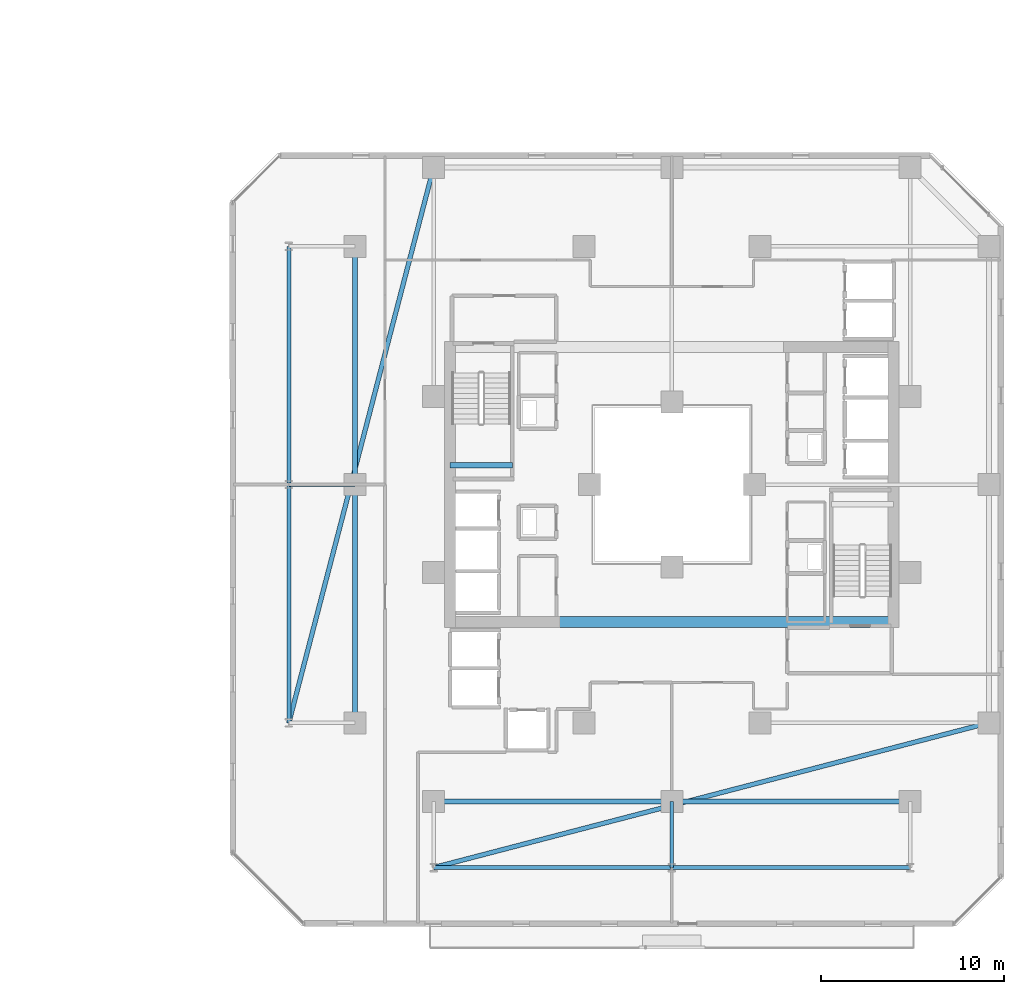
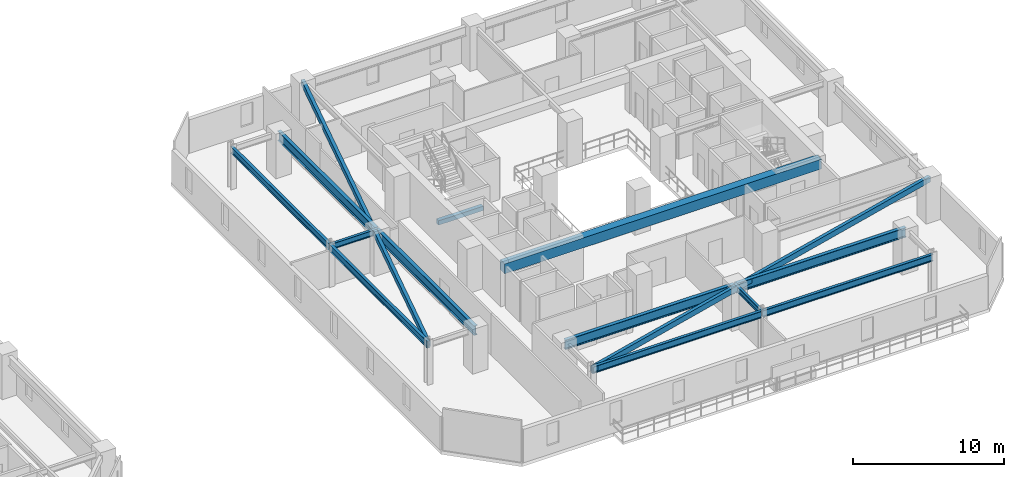
# One storey, part 12 of 33: 14 beams.
"""IFC4 building model written with IfcOpenShell, lengths in metres."""

from ifc_helpers import new_model, si_unit, direction, frame, origin, origin_2d, place, context, subcontext, project, spatial, rectangle, hollow_rectangle, i_section, extrude, material, material_profile, profile_set, type_object, element, save


model = new_model("IFC4")

# Units and contexts
model_context = context("Model", 3, precision=1e-05, world=origin(), true_north=direction((0.0, 1.0)))
body_context = subcontext(model_context, "Body", "Model", "MODEL_VIEW")
ifc_project = project(units=[si_unit("LENGTHUNIT", "METRE"), si_unit("AREAUNIT", "SQUARE_METRE"), si_unit("VOLUMEUNIT", "CUBIC_METRE"), si_unit("PLANEANGLEUNIT", "RADIAN"), si_unit("MASSUNIT", "GRAM", prefix="KILO")], contexts=[model_context])

# Site, building, storey
site_placement = place(None, origin())
site = spatial("IfcSite", under=ifc_project, at=site_placement, CompositionType="ELEMENT")
building_placement = place(site_placement, origin())
building = spatial("IfcBuilding", under=site, at=building_placement, Name="Thornwick Lancets Civic Towers", CompositionType="ELEMENT")
storey_placement = place(building_placement, frame((0.0, 0.0, 101.699951171875)))
storey = spatial("IfcBuildingStorey", under=building, at=storey_placement, Name="L26", CompositionType="ELEMENT", Elevation=101.699951171875)

# Beams
ifc_material_1 = material(Name="Concrete C60/75", Category="concrete")
ifc_material_profile_1 = material_profile(ifc_material_1, rectangle(XDim=0.60009765625, YDim=0.800048828125, at=origin_2d()), Name="RC 600x800")
ifc_profile_set_1 = profile_set([ifc_material_profile_1], Name="Concrete C60/75")
beam_type_1 = type_object("IfcBeamType", Name="BM_COUP_RC800", PredefinedType="BEAM", material=ifc_profile_set_1)
beam_1_placement = place(storey_placement, frame((76.39990234375, 19.5, 2.9599609375), z_axis=(1.0, 0.0, 0.0), x_axis=(0.0, 1.0, 0.0)))
element("IfcBeam", 1, at=beam_1_placement, inside=storey, type_object=beam_type_1, Name="CB-L26-B2", PredefinedType="BEAM", context=body_context, shape_type="SweptSolid", body=[
    extrude(rectangle(XDim=0.60009765625, YDim=0.800048828125, at=origin_2d()), origin(), (0.0, 0.0, 1.0), 24.2001953125),
])
ifc_material_2 = material(Name="Steel S355JR", Category="steel")
ifc_material_profile_2 = material_profile(ifc_material_2, i_section(OverallWidth=0.2119140625, OverallDepth=0.54443359375, WebThickness=0.0126953125, FlangeThickness=0.021240234375, FilletRadius=0.0126953125, at=origin_2d()), Name="UKB 533x210x122")
ifc_profile_set_2 = profile_set([ifc_material_profile_2], Name="Steel S355JR")
beam_type_2 = type_object("IfcBeamType", Name="BM_EDGE_533_122", PredefinedType="SPANDREL", material=ifc_profile_set_2)
beam_2_placement = place(storey_placement, frame((67.60009765625, 14.0, 3.087890625), z_axis=(0.0, 1.0, 0.0), x_axis=(-1.0, 0.0, 0.0)))
element("IfcBeam", 2, at=beam_2_placement, inside=storey, type_object=beam_type_2, Name="BM-EDGE-L26-B-S2-1", PredefinedType="SPANDREL", context=body_context, shape_type="SweptSolid", body=[
    extrude(i_section(OverallWidth=0.2119140625, OverallDepth=0.54443359375, WebThickness=0.0126953125, FlangeThickness=0.021240234375, FilletRadius=0.0126953125, at=origin_2d()), origin(), (0.0, 0.0, 1.0), 13.0),
])
beam_3_placement = place(storey_placement, frame((67.60009765625, 27.080078125, 3.087890625), z_axis=(0.0, 1.0, 0.0), x_axis=(-1.0, 0.0, 0.0)))
element("IfcBeam", 3, at=beam_3_placement, inside=storey, type_object=beam_type_2, Name="BM-EDGE-L26-B-S2-2", PredefinedType="SPANDREL", context=body_context, shape_type="SweptSolid", body=[
    extrude(i_section(OverallWidth=0.2119140625, OverallDepth=0.54443359375, WebThickness=0.0126953125, FlangeThickness=0.021240234375, FilletRadius=0.0126953125, at=origin_2d()), origin(), (0.0, 0.0, 1.0), 12.919921875),
])
beam_4_placement = place(storey_placement, frame((101.5, 6.10009765625, 3.087890625), z_axis=(-1.0, 0.0, 0.0), x_axis=(0.0, -1.0, 0.0)))
element("IfcBeam", 4, at=beam_4_placement, inside=storey, type_object=beam_type_2, Name="BM-EDGE-L26-B-S3-1", PredefinedType="SPANDREL", context=body_context, shape_type="SweptSolid", body=[
    extrude(i_section(OverallWidth=0.2119140625, OverallDepth=0.54443359375, WebThickness=0.0126953125, FlangeThickness=0.021240234375, FilletRadius=0.0126953125, at=origin_2d()), origin(), (0.0, 0.0, 1.0), 13.0),
])
beam_5_placement = place(storey_placement, frame((88.419921875, 6.10009765625, 3.087890625), z_axis=(-1.0, 0.0, 0.0), x_axis=(0.0, -1.0, 0.0)))
element("IfcBeam", 5, at=beam_5_placement, inside=storey, type_object=beam_type_2, Name="BM-EDGE-L26-B-S3-2", PredefinedType="SPANDREL", context=body_context, shape_type="SweptSolid", body=[
    extrude(i_section(OverallWidth=0.2119140625, OverallDepth=0.54443359375, WebThickness=0.0126953125, FlangeThickness=0.021240234375, FilletRadius=0.0126953125, at=origin_2d()), origin(), (0.0, 0.0, 1.0), 12.919921875),
])
ifc_material_profile_3 = material_profile(ifc_material_2, i_section(OverallWidth=0.26806640625, OverallDepth=0.769775390625, WebThickness=0.015625, FlangeThickness=0.025390625, FilletRadius=0.0166015625, at=origin_2d()), Name="UKB 762x267x197")
ifc_profile_set_3 = profile_set([ifc_material_profile_3], Name="Steel S355JR")
beam_type_3 = type_object("IfcBeamType", Name="BM_GIRD_762_197", PredefinedType="BEAM", material=ifc_profile_set_3)
beam_6_placement = place(storey_placement, frame((71.199951171875, 14.0, 2.97509765625), z_axis=(0.0, 1.0, 0.0), x_axis=(-1.0, 0.0, 0.0)))
element("IfcBeam", 6, at=beam_6_placement, inside=storey, type_object=beam_type_3, Name="BM-SPINE-L26-B-6-7", PredefinedType="BEAM", context=body_context, shape_type="SweptSolid", body=[
    extrude(i_section(OverallWidth=0.26806640625, OverallDepth=0.769775390625, WebThickness=0.015625, FlangeThickness=0.025390625, FilletRadius=0.0166015625, at=origin_2d()), origin(), (0.0, 0.0, 1.0), 13.0),
])
beam_7_placement = place(storey_placement, frame((71.199951171875, 27.080078125, 2.97509765625), z_axis=(0.0, 1.0, 0.0), x_axis=(-1.0, 0.0, 0.0)))
element("IfcBeam", 7, at=beam_7_placement, inside=storey, type_object=beam_type_3, Name="BM-SPINE-L26-B-7-8", PredefinedType="BEAM", context=body_context, shape_type="SweptSolid", body=[
    extrude(i_section(OverallWidth=0.26806640625, OverallDepth=0.769775390625, WebThickness=0.015625, FlangeThickness=0.025390625, FilletRadius=0.0166015625, at=origin_2d()), origin(), (0.0, 0.0, 1.0), 12.919921875),
])
beam_8_placement = place(storey_placement, frame((101.5, 9.699951171875, 2.97509765625), z_axis=(-1.0, 0.0, 0.0), x_axis=(0.0, -1.0, 0.0)))
element("IfcBeam", 8, at=beam_8_placement, inside=storey, type_object=beam_type_3, Name="BM-SPINE-L26-B-9-10", PredefinedType="BEAM", context=body_context, shape_type="SweptSolid", body=[
    extrude(i_section(OverallWidth=0.26806640625, OverallDepth=0.769775390625, WebThickness=0.015625, FlangeThickness=0.025390625, FilletRadius=0.0166015625, at=origin_2d()), origin(), (0.0, 0.0, 1.0), 13.0),
])
beam_9_placement = place(storey_placement, frame((88.419921875, 9.699951171875, 2.97509765625), z_axis=(-1.0, 0.0, 0.0), x_axis=(0.0, -1.0, 0.0)))
element("IfcBeam", 9, at=beam_9_placement, inside=storey, type_object=beam_type_3, Name="BM-SPINE-L26-B-10-11", PredefinedType="BEAM", context=body_context, shape_type="SweptSolid", body=[
    extrude(i_section(OverallWidth=0.26806640625, OverallDepth=0.769775390625, WebThickness=0.015625, FlangeThickness=0.025390625, FilletRadius=0.0166015625, at=origin_2d()), origin(), (0.0, 0.0, 1.0), 12.919921875),
])
ifc_material_profile_4 = material_profile(ifc_material_2, i_section(OverallWidth=0.19287109375, OverallDepth=0.46728515625, WebThickness=0.011474609375, FlangeThickness=0.01953125, FilletRadius=0.01025390625, at=origin_2d()), Name="UKB 457x191x98")
ifc_profile_set_4 = profile_set([ifc_material_profile_4], Name="Steel S355JR")
beam_type_4 = type_object("IfcBeamType", Name="BM_JOIST_457_98", PredefinedType="JOIST", material=ifc_profile_set_4)
for number, where, z_axis, x_axis, name in (
    (10, (71.199951171875, 27.0, 3.12646484375), (-1.0, 0.0, 0.0), (0.0, -1.0, 0.0), "BM-RAD-L26-B08"),
    (11, (88.5, 9.699951171875, 3.12646484375), (0.0, -1.0, 0.0), (1.0, 0.0, 0.0), "BM-RAD-L26-B11"),
):
    element("IfcBeam", number, at=place(storey_placement, frame(where, z_axis=z_axis, x_axis=x_axis)), inside=storey, type_object=beam_type_4, Name=name, PredefinedType="JOIST", context=body_context, shape_type="SweptSolid", body=[
        extrude(i_section(OverallWidth=0.19287109375, OverallDepth=0.46728515625, WebThickness=0.011474609375, FlangeThickness=0.01953125, FilletRadius=0.01025390625, at=origin_2d()), origin(), (0.0, 0.0, 1.0), 3.599853515625),
    ])
ifc_material_profile_5 = material_profile(ifc_material_2, hollow_rectangle(XDim=0.25, YDim=0.449951171875, WallThickness=0.01611328125, at=origin_2d()), Name="RHS 450x250x16")
ifc_profile_set_5 = profile_set([ifc_material_profile_5], Name="Steel S355JR")
beam_type_5 = type_object("IfcBeamType", Name="BM_RING_RHS450", PredefinedType="BEAM", material=ifc_profile_set_5)
for number, where, z_axis, x_axis, name in (
    (12, (75.5, 44.300048828125, 3.135009765625), (-0.252288590311, -0.967652038286, 0.0), (0.967652038286, -0.252288590311, 0.0), "BM-CHAMF-L26-B-C1"),
    (13, (75.5, 6.10009765625, 3.135009765625), (0.967652038286, 0.252288590311, 0.0), (-0.252288590311, 0.967652038286, 0.0), "BM-CHAMF-L26-B-C3"),
):
    element("IfcBeam", number, at=place(storey_placement, frame(where, z_axis=z_axis, x_axis=x_axis)), inside=storey, type_object=beam_type_5, Name=name, PredefinedType="BEAM", context=body_context, shape_type="SweptSolid", body=[
        extrude(hollow_rectangle(XDim=0.25, YDim=0.449951171875, WallThickness=0.01611328125, at=origin_2d()), origin(), (0.0, 0.0, 1.0), 31.31298828125),
    ])
ifc_material_3 = material(Name="Concrete C40/50", Category="concrete")
ifc_material_profile_6 = material_profile(ifc_material_3, rectangle(XDim=0.300048828125, YDim=0.35009765625, at=origin_2d()), Name="RC 300x350")
ifc_profile_set_6 = profile_set([ifc_material_profile_6], Name="Concrete C40/50")
beam_type_6 = type_object("IfcBeamType", Name="BM_STAIR_LDG", PredefinedType="BEAM", material=ifc_profile_set_6)
beam_10_placement = place(storey_placement, frame((76.39990234375, 28.06494140625, 1.3779296875), z_axis=(1.0, 0.0, 0.0), x_axis=(0.0, 1.0, 0.0)))
element("IfcBeam", 14, at=beam_10_placement, inside=storey, type_object=beam_type_6, Name="L26 ST-B2 Landing Support Beam 1", PredefinedType="BEAM", context=body_context, shape_type="SweptSolid", body=[
    extrude(rectangle(XDim=0.300048828125, YDim=0.35009765625, at=origin_2d()), origin(), (0.0, 0.0, 1.0), 3.400146484375),
])

save(model, "model.ifc")
